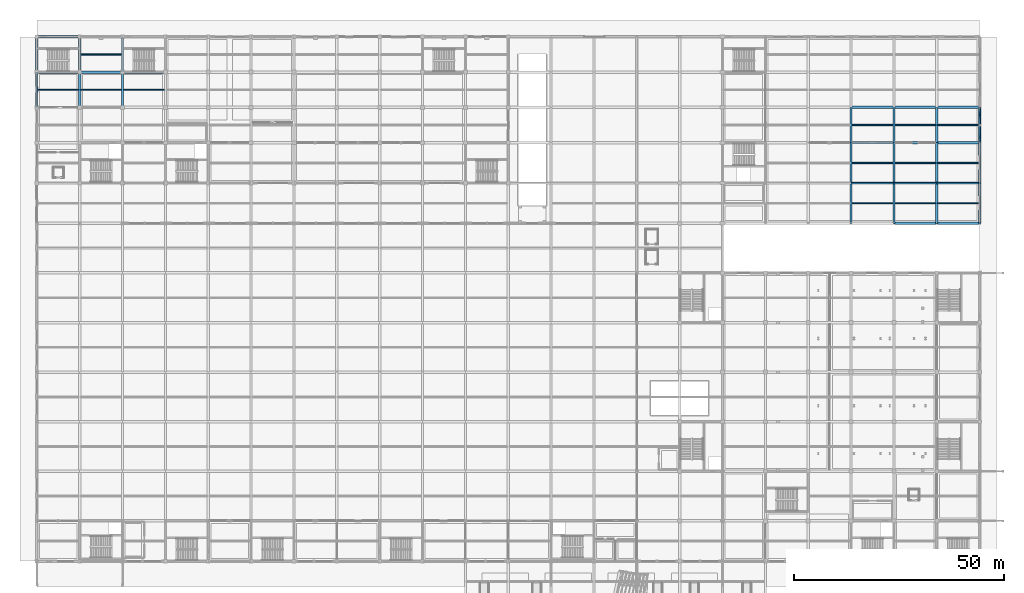
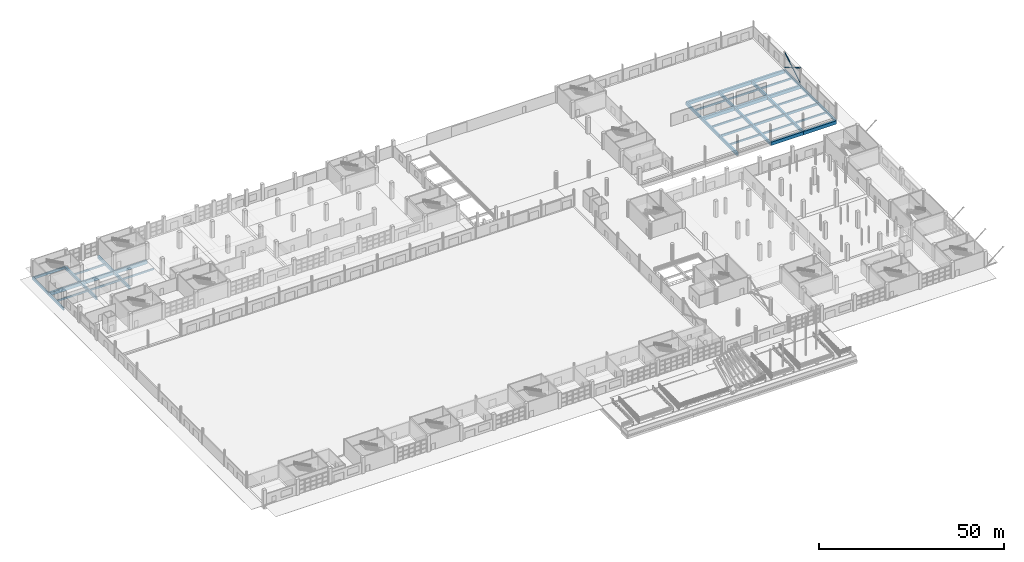
# One storey, part 65 of 124: 46 beams, 3 members.
"""IFC4 building model written with IfcOpenShell, lengths in metres."""

from ifc_helpers import new_model, si_unit, direction, frame, origin, origin_2d, place, context, subcontext, project, spatial, rectangle, hollow_rectangle, extrude, material, material_profile, profile_set, type_object, element, save


model = new_model("IFC4")

# Units and contexts
model_context = context("Model", 3, precision=1e-05, world=origin(), true_north=direction((0.0, 1.0)))
body_context = subcontext(model_context, "Body", "Model", "MODEL_VIEW")
ifc_project = project(units=[si_unit("LENGTHUNIT", "METRE"), si_unit("AREAUNIT", "SQUARE_METRE"), si_unit("VOLUMEUNIT", "CUBIC_METRE"), si_unit("PLANEANGLEUNIT", "RADIAN"), si_unit("MASSUNIT", "GRAM", prefix="KILO")], contexts=[model_context])

# Site, building, storey
site_placement = place(None, origin())
site = spatial("IfcSite", under=ifc_project, at=site_placement, CompositionType="ELEMENT")
building_placement = place(site_placement, origin())
building = spatial("IfcBuilding", under=site, at=building_placement, Name="Brelvane Convention Centre", CompositionType="ELEMENT")
storey_placement = place(building_placement, origin())
storey = spatial("IfcBuildingStorey", under=building, at=storey_placement, Name="L00", CompositionType="ELEMENT", Elevation=0.0)

# Beams
ifc_material_1 = material(Name="Concrete M50", Category="concrete")
ifc_material_profile_1 = material_profile(ifc_material_1, rectangle(XDim=0.60009765625, YDim=1.10009765625, at=origin_2d()), Name="RC 600x1100")
ifc_profile_set_1 = profile_set([ifc_material_profile_1], Name="Concrete M50")
beam_type_1 = type_object("IfcBeamType", Name="RC Beam B-RC2 (RC 600x1100)", PredefinedType="BEAM", material=ifc_profile_set_1)
for number, where, z_axis, x_axis, name in (
    (1, (0.0, 135.60009765625, -0.965087890625), (1.0, 0.0, 0.0), (0.0, 1.0, 0.0), "L00 Beam 1-2/P"),
    (2, (10.199951171875, 135.60009765625, -0.965087890625), (1.0, 0.0, 0.0), (0.0, 1.0, 0.0), "L00 Beam 2-3/P"),
):
    element("IfcBeam", number, at=place(storey_placement, frame(where, z_axis=z_axis, x_axis=x_axis)), inside=storey, type_object=beam_type_1, Name=name, PredefinedType="BEAM", context=body_context, shape_type="SweptSolid", body=[
        extrude(rectangle(XDim=0.60009765625, YDim=1.10009765625, at=origin_2d()), origin(), (0.0, 0.0, 1.0), 10.199951171875),
    ])
beam_1_placement = place(storey_placement, frame((20.39990234375, 135.60009765625, -0.965087890625), z_axis=(1.0, 0.0, 0.0), x_axis=(0.0, 1.0, 0.0)))
element("IfcBeam", 3, at=beam_1_placement, inside=storey, type_object=beam_type_1, Name="L00 Beam 3-4/P", PredefinedType="BEAM", context=body_context, shape_type="SweptSolid", body=[
    extrude(rectangle(XDim=0.60009765625, YDim=1.10009765625, at=origin_2d()), origin(), (0.0, 0.0, 1.0), 10.2001953125),
])
for number, where, z_axis, x_axis, name in (
    (4, (193.800048828125, 118.800048828125, -0.9951171875), (1.0, 0.0, 0.0), (0.0, 1.0, 0.0), "L00 Beam 20-21/M"),
    (5, (193.800048828125, 127.199951171875, -0.9951171875), (1.0, 0.0, 0.0), (0.0, 1.0, 0.0), "L00 Beam 20-21/N"),
    (6, (204.0, 99.60009765625, -0.9951171875), (1.0, 0.0, 0.0), (0.0, 1.0, 0.0), "L00 Beam 21-22/K"),
    (7, (204.0, 118.800048828125, -0.9951171875), (1.0, 0.0, 0.0), (0.0, 1.0, 0.0), "L00 Beam 21-22/M"),
    (8, (204.0, 127.199951171875, -0.9951171875), (1.0, 0.0, 0.0), (0.0, 1.0, 0.0), "L00 Beam 21-22/N"),
    (9, (214.199951171875, 99.60009765625, -0.9951171875), (1.0, 0.0, 0.0), (0.0, 1.0, 0.0), "L00 Beam 22-23/K"),
    (10, (214.199951171875, 118.800048828125, -0.9951171875), (1.0, 0.0, 0.0), (0.0, 1.0, 0.0), "L00 Beam 22-23/M"),
    (11, (214.199951171875, 127.199951171875, -0.9951171875), (1.0, 0.0, 0.0), (0.0, 1.0, 0.0), "L00 Beam 22-23/N"),
):
    element("IfcBeam", number, at=place(storey_placement, frame(where, z_axis=z_axis, x_axis=x_axis)), inside=storey, type_object=beam_type_1, Name=name, PredefinedType="BEAM", context=body_context, shape_type="SweptSolid", body=[
        extrude(rectangle(XDim=0.60009765625, YDim=1.10009765625, at=origin_2d()), origin(), (0.0, 0.0, 1.0), 10.199951171875),
    ])
ifc_material_2 = material(Name="Concrete M50", Category="concrete")
ifc_material_profile_2 = material_profile(ifc_material_2, rectangle(XDim=0.52001953125, YDim=0.949951171875, at=origin_2d()), Name="RC 520x950")
ifc_profile_set_2 = profile_set([ifc_material_profile_2], Name="Concrete M50")
beam_type_2 = type_object("IfcBeamType", Name="RC Beam B-RC9 (RC 520x950)", PredefinedType="BEAM", material=ifc_profile_set_2)
beam_2_placement = place(storey_placement, frame((10.199951171875, 127.199951171875, -0.889892578125), z_axis=(0.0, 1.0, 0.0), x_axis=(-1.0, 0.0, 0.0)))
element("IfcBeam", 12, at=beam_2_placement, inside=storey, type_object=beam_type_2, Name="L00 Girder 2/N-P", PredefinedType="BEAM", context=body_context, shape_type="SweptSolid", body=[
    extrude(rectangle(XDim=0.52001953125, YDim=0.949951171875, at=origin_2d()), origin(), (0.0, 0.0, 1.0), 8.400146484375),
])
beam_3_placement = place(storey_placement, frame((10.199951171875, 135.60009765625, -0.889892578125), z_axis=(0.0, 1.0, 0.0), x_axis=(-1.0, 0.0, 0.0)))
element("IfcBeam", 13, at=beam_3_placement, inside=storey, type_object=beam_type_2, Name="L00 Girder 2/P-Q", PredefinedType="BEAM", context=body_context, shape_type="SweptSolid", body=[
    extrude(rectangle(XDim=0.52001953125, YDim=0.949951171875, at=origin_2d()), origin(), (0.0, 0.0, 1.0), 8.39990234375),
])
beam_4_placement = place(storey_placement, frame((20.39990234375, 127.199951171875, -0.889892578125), z_axis=(0.0, 1.0, 0.0), x_axis=(-1.0, 0.0, 0.0)))
element("IfcBeam", 14, at=beam_4_placement, inside=storey, type_object=beam_type_2, Name="L00 Girder 3/N-P", PredefinedType="BEAM", context=body_context, shape_type="SweptSolid", body=[
    extrude(rectangle(XDim=0.52001953125, YDim=0.949951171875, at=origin_2d()), origin(), (0.0, 0.0, 1.0), 8.400146484375),
])
beam_5_placement = place(storey_placement, frame((20.39990234375, 135.60009765625, -0.889892578125), z_axis=(0.0, 1.0, 0.0), x_axis=(-1.0, 0.0, 0.0)))
element("IfcBeam", 15, at=beam_5_placement, inside=storey, type_object=beam_type_2, Name="L00 Girder 3/P-Q", PredefinedType="BEAM", context=body_context, shape_type="SweptSolid", body=[
    extrude(rectangle(XDim=0.52001953125, YDim=0.949951171875, at=origin_2d()), origin(), (0.0, 0.0, 1.0), 8.39990234375),
])
beam_6_placement = place(storey_placement, frame((193.800048828125, 99.60009765625, -0.919921875), z_axis=(0.0, 1.0, 0.0), x_axis=(-1.0, 0.0, 0.0)))
element("IfcBeam", 16, at=beam_6_placement, inside=storey, type_object=beam_type_2, Name="L00 Girder 20/K-L", PredefinedType="BEAM", context=body_context, shape_type="SweptSolid", body=[
    extrude(rectangle(XDim=0.52001953125, YDim=0.949951171875, at=origin_2d()), origin(), (0.0, 0.0, 1.0), 9.599853515625),
])
beam_7_placement = place(storey_placement, frame((193.800048828125, 109.199951171875, -0.919921875), z_axis=(0.0, 1.0, 0.0), x_axis=(-1.0, 0.0, 0.0)))
element("IfcBeam", 17, at=beam_7_placement, inside=storey, type_object=beam_type_2, Name="L00 Girder 20/L-M", PredefinedType="BEAM", context=body_context, shape_type="SweptSolid", body=[
    extrude(rectangle(XDim=0.52001953125, YDim=0.949951171875, at=origin_2d()), origin(), (0.0, 0.0, 1.0), 9.60009765625),
])
beam_8_placement = place(storey_placement, frame((193.800048828125, 118.800048828125, -0.919921875), z_axis=(0.0, 1.0, 0.0), x_axis=(-1.0, 0.0, 0.0)))
element("IfcBeam", 18, at=beam_8_placement, inside=storey, type_object=beam_type_2, Name="L00 Girder 20/M-N", PredefinedType="BEAM", context=body_context, shape_type="SweptSolid", body=[
    extrude(rectangle(XDim=0.52001953125, YDim=0.949951171875, at=origin_2d()), origin(), (0.0, 0.0, 1.0), 8.39990234375),
])
beam_9_placement = place(storey_placement, frame((204.0, 99.60009765625, -0.919921875), z_axis=(0.0, 1.0, 0.0), x_axis=(-1.0, 0.0, 0.0)))
element("IfcBeam", 19, at=beam_9_placement, inside=storey, type_object=beam_type_2, Name="L00 Girder 21/K-L", PredefinedType="BEAM", context=body_context, shape_type="SweptSolid", body=[
    extrude(rectangle(XDim=0.52001953125, YDim=0.949951171875, at=origin_2d()), origin(), (0.0, 0.0, 1.0), 9.599853515625),
])
beam_10_placement = place(storey_placement, frame((204.0, 109.199951171875, -0.919921875), z_axis=(0.0, 1.0, 0.0), x_axis=(-1.0, 0.0, 0.0)))
element("IfcBeam", 20, at=beam_10_placement, inside=storey, type_object=beam_type_2, Name="L00 Girder 21/L-M", PredefinedType="BEAM", context=body_context, shape_type="SweptSolid", body=[
    extrude(rectangle(XDim=0.52001953125, YDim=0.949951171875, at=origin_2d()), origin(), (0.0, 0.0, 1.0), 9.60009765625),
])
beam_11_placement = place(storey_placement, frame((204.0, 118.800048828125, -0.919921875), z_axis=(0.0, 1.0, 0.0), x_axis=(-1.0, 0.0, 0.0)))
element("IfcBeam", 21, at=beam_11_placement, inside=storey, type_object=beam_type_2, Name="L00 Girder 21/M-N", PredefinedType="BEAM", context=body_context, shape_type="SweptSolid", body=[
    extrude(rectangle(XDim=0.52001953125, YDim=0.949951171875, at=origin_2d()), origin(), (0.0, 0.0, 1.0), 8.39990234375),
])
beam_12_placement = place(storey_placement, frame((214.199951171875, 99.60009765625, -0.919921875), z_axis=(0.0, 1.0, 0.0), x_axis=(-1.0, 0.0, 0.0)))
element("IfcBeam", 22, at=beam_12_placement, inside=storey, type_object=beam_type_2, Name="L00 Girder 22/K-L", PredefinedType="BEAM", context=body_context, shape_type="SweptSolid", body=[
    extrude(rectangle(XDim=0.52001953125, YDim=0.949951171875, at=origin_2d()), origin(), (0.0, 0.0, 1.0), 9.599853515625),
])
beam_13_placement = place(storey_placement, frame((214.199951171875, 109.199951171875, -0.919921875), z_axis=(0.0, 1.0, 0.0), x_axis=(-1.0, 0.0, 0.0)))
element("IfcBeam", 23, at=beam_13_placement, inside=storey, type_object=beam_type_2, Name="L00 Girder 22/L-M", PredefinedType="BEAM", context=body_context, shape_type="SweptSolid", body=[
    extrude(rectangle(XDim=0.52001953125, YDim=0.949951171875, at=origin_2d()), origin(), (0.0, 0.0, 1.0), 9.60009765625),
])
beam_14_placement = place(storey_placement, frame((214.199951171875, 118.800048828125, -0.919921875), z_axis=(0.0, 1.0, 0.0), x_axis=(-1.0, 0.0, 0.0)))
element("IfcBeam", 24, at=beam_14_placement, inside=storey, type_object=beam_type_2, Name="L00 Girder 22/M-N", PredefinedType="BEAM", context=body_context, shape_type="SweptSolid", body=[
    extrude(rectangle(XDim=0.52001953125, YDim=0.949951171875, at=origin_2d()), origin(), (0.0, 0.0, 1.0), 8.39990234375),
])
ifc_material_3 = material(Name="Concrete M40", Category="concrete")
ifc_material_profile_3 = material_profile(ifc_material_3, rectangle(XDim=0.320068359375, YDim=0.580078125, at=origin_2d()), Name="RC 320x580")
ifc_profile_set_3 = profile_set([ifc_material_profile_3], Name="Concrete M40")
beam_type_3 = type_object("IfcBeamType", Name="RC Joist J-RC3 (RC 320x580)", PredefinedType="JOIST", material=ifc_profile_set_3)
beam_15_placement = place(storey_placement, frame((0.199951171875, 131.39990234375, -0.705078125), z_axis=(1.0, 0.0, 0.0), x_axis=(0.0, 1.0, 0.0)))
element("IfcBeam", 25, at=beam_15_placement, inside=storey, type_object=beam_type_3, Name="L00 Secondary Joist 1-2/NP", PredefinedType="JOIST", context=body_context, shape_type="SweptSolid", body=[
    extrude(rectangle(XDim=0.320068359375, YDim=0.580078125, at=origin_2d()), origin(), (0.0, 0.0, 1.0), 9.739990234375),
])
for number, where, z_axis, x_axis, name in (
    (26, (10.4599609375, 131.39990234375, -0.705078125), (1.0, 0.0, 0.0), (0.0, 1.0, 0.0), "L00 Secondary Joist 2-3/NP"),
    (27, (10.4599609375, 139.800048828125, -0.705078125), (1.0, 0.0, 0.0), (0.0, 1.0, 0.0), "L00 Secondary Joist 2-3/PQ"),
):
    element("IfcBeam", number, at=place(storey_placement, frame(where, z_axis=z_axis, x_axis=x_axis)), inside=storey, type_object=beam_type_3, Name=name, PredefinedType="JOIST", context=body_context, shape_type="SweptSolid", body=[
        extrude(rectangle(XDim=0.320068359375, YDim=0.580078125, at=origin_2d()), origin(), (0.0, 0.0, 1.0), 9.679931640625),
    ])
beam_16_placement = place(storey_placement, frame((20.659912109375, 131.39990234375, -0.705078125), z_axis=(1.0, 0.0, 0.0), x_axis=(0.0, 1.0, 0.0)))
element("IfcBeam", 28, at=beam_16_placement, inside=storey, type_object=beam_type_3, Name="L00 Secondary Joist 3-4/NP", PredefinedType="JOIST", context=body_context, shape_type="SweptSolid", body=[
    extrude(rectangle(XDim=0.320068359375, YDim=0.580078125, at=origin_2d()), origin(), (0.0, 0.0, 1.0), 9.68017578125),
])
for number, where, z_axis, x_axis, name in (
    (29, (194.06005859375, 104.39990234375, -0.735107421875), (1.0, 0.0, 0.0), (0.0, 1.0, 0.0), "L00 Secondary Joist 20-21/KL"),
    (30, (194.06005859375, 114.0, -0.735107421875), (1.0, 0.0, 0.0), (0.0, 1.0, 0.0), "L00 Secondary Joist 20-21/LM"),
    (31, (194.06005859375, 123.0, -0.735107421875), (1.0, 0.0, 0.0), (0.0, 1.0, 0.0), "L00 Secondary Joist 20-21/MN"),
    (32, (204.260009765625, 104.39990234375, -0.735107421875), (1.0, 0.0, 0.0), (0.0, 1.0, 0.0), "L00 Secondary Joist 21-22/KL"),
    (33, (204.260009765625, 114.0, -0.735107421875), (1.0, 0.0, 0.0), (0.0, 1.0, 0.0), "L00 Secondary Joist 21-22/LM"),
    (34, (204.260009765625, 123.0, -0.735107421875), (1.0, 0.0, 0.0), (0.0, 1.0, 0.0), "L00 Secondary Joist 21-22/MN"),
):
    element("IfcBeam", number, at=place(storey_placement, frame(where, z_axis=z_axis, x_axis=x_axis)), inside=storey, type_object=beam_type_3, Name=name, PredefinedType="JOIST", context=body_context, shape_type="SweptSolid", body=[
        extrude(rectangle(XDim=0.320068359375, YDim=0.580078125, at=origin_2d()), origin(), (0.0, 0.0, 1.0), 9.679931640625),
    ])
for number, where, z_axis, x_axis, name in (
    (35, (214.4599609375, 104.39990234375, -0.735107421875), (1.0, 0.0, 0.0), (0.0, 1.0, 0.0), "L00 Secondary Joist 22-23/KL"),
    (36, (214.4599609375, 114.0, -0.735107421875), (1.0, 0.0, 0.0), (0.0, 1.0, 0.0), "L00 Secondary Joist 22-23/LM"),
    (37, (214.4599609375, 123.0, -0.735107421875), (1.0, 0.0, 0.0), (0.0, 1.0, 0.0), "L00 Secondary Joist 22-23/MN"),
):
    element("IfcBeam", number, at=place(storey_placement, frame(where, z_axis=z_axis, x_axis=x_axis)), inside=storey, type_object=beam_type_3, Name=name, PredefinedType="JOIST", context=body_context, shape_type="SweptSolid", body=[
        extrude(rectangle(XDim=0.320068359375, YDim=0.580078125, at=origin_2d()), origin(), (0.0, 0.0, 1.0), 9.739990234375),
    ])
ifc_material_4 = material(Name="Concrete M40", Category="concrete")
ifc_material_profile_4 = material_profile(ifc_material_4, rectangle(XDim=0.39990234375, YDim=0.75, at=origin_2d()), Name="RC 400x750")
ifc_profile_set_4 = profile_set([ifc_material_profile_4], Name="Concrete M40")
beam_type_4 = type_object("IfcBeamType", Name="RC Spandrel SP-RC1 (RC 400x750)", PredefinedType="SPANDREL", material=ifc_profile_set_4)
for number, where, z_axis, x_axis, name in (
    (38, (0.0, 144.0, -0.7900390625), (1.0, 0.0, 0.0), (0.0, 1.0, 0.0), "L00 Beam 1-2/Q"),
    (39, (193.800048828125, 109.199951171875, -0.820068359375), (1.0, 0.0, 0.0), (0.0, 1.0, 0.0), "L00 Beam 20-21/L"),
    (40, (204.0, 109.199951171875, -0.820068359375), (1.0, 0.0, 0.0), (0.0, 1.0, 0.0), "L00 Beam 21-22/L"),
    (41, (214.199951171875, 109.199951171875, -0.820068359375), (1.0, 0.0, 0.0), (0.0, 1.0, 0.0), "L00 Beam 22-23/L"),
):
    element("IfcBeam", number, at=place(storey_placement, frame(where, z_axis=z_axis, x_axis=x_axis)), inside=storey, type_object=beam_type_4, Name=name, PredefinedType="SPANDREL", context=body_context, shape_type="SweptSolid", body=[
        extrude(rectangle(XDim=0.39990234375, YDim=0.75, at=origin_2d()), origin(), (0.0, 0.0, 1.0), 10.199951171875),
    ])
beam_17_placement = place(storey_placement, frame((0.0, 127.199951171875, -0.7900390625), z_axis=(0.0, 1.0, 0.0), x_axis=(-1.0, 0.0, 0.0)))
element("IfcBeam", 42, at=beam_17_placement, inside=storey, type_object=beam_type_4, Name="L00 Girder 1/N-P", PredefinedType="SPANDREL", context=body_context, shape_type="SweptSolid", body=[
    extrude(rectangle(XDim=0.39990234375, YDim=0.75, at=origin_2d()), origin(), (0.0, 0.0, 1.0), 8.400146484375),
])
beam_18_placement = place(storey_placement, frame((0.0, 135.60009765625, -0.7900390625), z_axis=(0.0, 1.0, 0.0), x_axis=(-1.0, 0.0, 0.0)))
element("IfcBeam", 43, at=beam_18_placement, inside=storey, type_object=beam_type_4, Name="L00 Girder 1/P-Q", PredefinedType="SPANDREL", context=body_context, shape_type="SweptSolid", body=[
    extrude(rectangle(XDim=0.39990234375, YDim=0.75, at=origin_2d()), origin(), (0.0, 0.0, 1.0), 8.39990234375),
])
beam_19_placement = place(storey_placement, frame((224.39990234375, 99.60009765625, -0.820068359375), z_axis=(0.0, 1.0, 0.0), x_axis=(-1.0, 0.0, 0.0)))
element("IfcBeam", 44, at=beam_19_placement, inside=storey, type_object=beam_type_4, Name="L00 Girder 23/K-L", PredefinedType="SPANDREL", context=body_context, shape_type="SweptSolid", body=[
    extrude(rectangle(XDim=0.39990234375, YDim=0.75, at=origin_2d()), origin(), (0.0, 0.0, 1.0), 9.599853515625),
])
beam_20_placement = place(storey_placement, frame((224.39990234375, 109.199951171875, -0.820068359375), z_axis=(0.0, 1.0, 0.0), x_axis=(-1.0, 0.0, 0.0)))
element("IfcBeam", 45, at=beam_20_placement, inside=storey, type_object=beam_type_4, Name="L00 Girder 23/L-M", PredefinedType="SPANDREL", context=body_context, shape_type="SweptSolid", body=[
    extrude(rectangle(XDim=0.39990234375, YDim=0.75, at=origin_2d()), origin(), (0.0, 0.0, 1.0), 9.60009765625),
])
beam_21_placement = place(storey_placement, frame((224.39990234375, 118.800048828125, -0.820068359375), z_axis=(0.0, 1.0, 0.0), x_axis=(-1.0, 0.0, 0.0)))
element("IfcBeam", 46, at=beam_21_placement, inside=storey, type_object=beam_type_4, Name="L00 Girder 23/M-N", PredefinedType="SPANDREL", context=body_context, shape_type="SweptSolid", body=[
    extrude(rectangle(XDim=0.39990234375, YDim=0.75, at=origin_2d()), origin(), (0.0, 0.0, 1.0), 8.39990234375),
])

# Members
ifc_material_5 = material(Name="Steel E350 (350 MPa)", Category="steel")
ifc_material_profile_5 = material_profile(ifc_material_5, hollow_rectangle(XDim=0.25, YDim=0.25, WallThickness=0.012451171875, InnerFilletRadius=0.012451171875, OuterFilletRadius=0.02490234375, at=origin_2d()), Name="SHS 250x250x12.5")
ifc_profile_set_5 = profile_set([ifc_material_profile_5], Name="Steel E350 (350 MPa)")
member_type_1 = type_object("IfcMemberType", Name="Steel Brace BR-ST2 (SHS 250x250x12.5)", PredefinedType="BRACE", material=ifc_profile_set_5)
member_placement = place(storey_placement, frame((224.39990234375, 118.800048828125, 0.199951171875), z_axis=(0.0, 0.859290270856, 0.511488250512), x_axis=(-1.0, 0.0, 0.0)))
element("IfcMember", 47, at=member_placement, inside=storey, type_object=member_type_1, Name="Lateral X-Brace Continuous V3E-1-L00-A", PredefinedType="BRACE", context=body_context, shape_type="SweptSolid", body=[
    extrude(hollow_rectangle(XDim=0.25, YDim=0.25, WallThickness=0.012451171875, InnerFilletRadius=0.012451171875, OuterFilletRadius=0.02490234375, at=origin_2d()), origin(), (0.0, 0.0, 1.0), 9.775390625),
])
ifc_material_6 = material(Name="Steel E350 (350 MPa)", Category="steel")
ifc_material_profile_6 = material_profile(ifc_material_6, hollow_rectangle(XDim=0.199951171875, YDim=0.199951171875, WallThickness=0.010009765625, InnerFilletRadius=0.010009765625, OuterFilletRadius=0.02001953125, at=origin_2d()), Name="SHS 200x200x10.0")
ifc_profile_set_6 = profile_set([ifc_material_profile_6], Name="Steel E350 (350 MPa)")
member_type_2 = type_object("IfcMemberType", Name="Steel Brace BR-ST3 (SHS 200x200x10.0)", PredefinedType="BRACE", material=ifc_profile_set_6)
for number, where, z_axis, x_axis, name in (
    (48, (224.39990234375, 127.199951171875, 0.199951171875), (0.0, -0.859290270856, 0.511488250512), (1.0, 0.0, 0.0), "Lateral X-Brace Split Lower V3E-1-L00-B1"),
    (49, (224.39990234375, 123.0, 2.699951171875), (0.0, -0.859290270856, 0.511488250512), (1.0, 0.0, 0.0), "Lateral X-Brace Split Upper V3E-1-L00-B2"),
):
    element("IfcMember", number, at=place(storey_placement, frame(where, z_axis=z_axis, x_axis=x_axis)), inside=storey, type_object=member_type_2, Name=name, PredefinedType="BRACE", context=body_context, shape_type="SweptSolid", body=[
        extrude(hollow_rectangle(XDim=0.199951171875, YDim=0.199951171875, WallThickness=0.010009765625, InnerFilletRadius=0.010009765625, OuterFilletRadius=0.02001953125, at=origin_2d()), origin(), (0.0, 0.0, 1.0), 4.8876953125),
    ])

save(model, "model.ifc")
